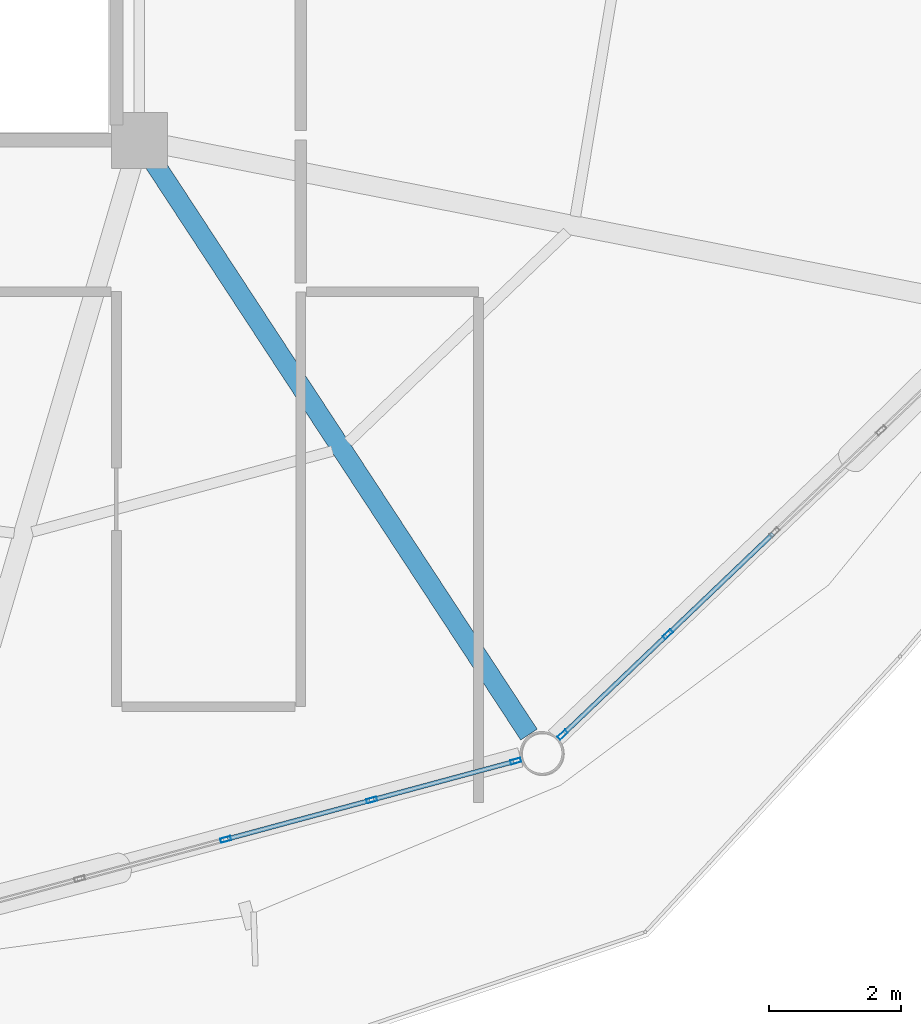
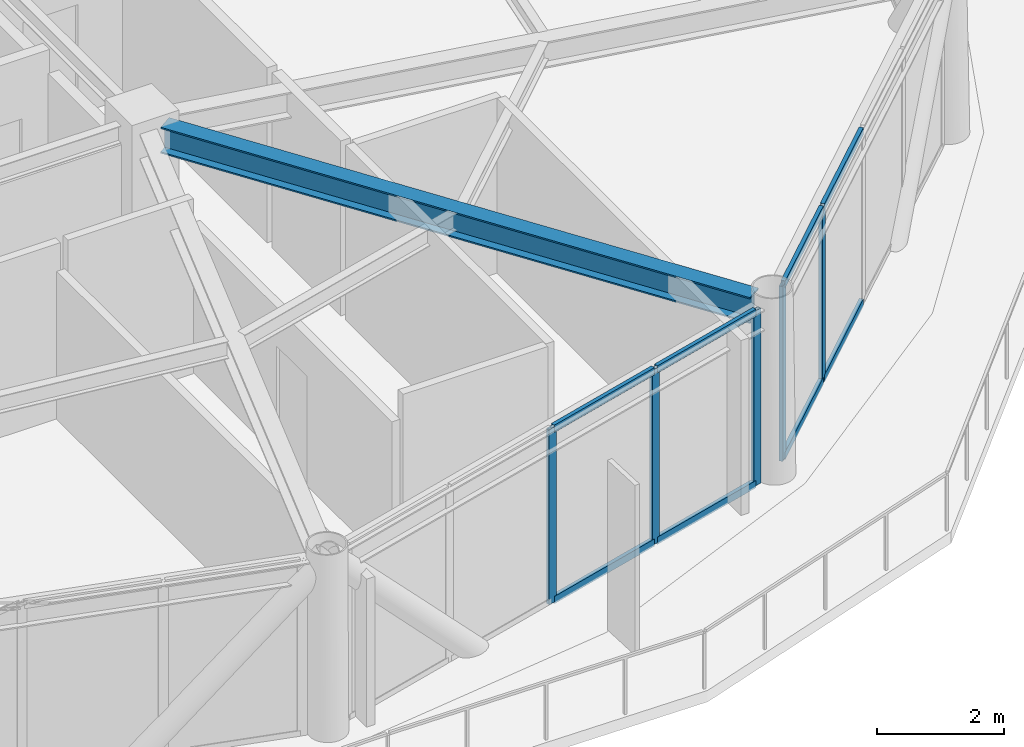
# One storey, part 9 of 28: 13 members, 1 beam, 2 elements without a shape of their own.
"""IFC4 building model written with IfcOpenShell, lengths in metres."""

from ifc_helpers import new_model, si_unit, direction, frame, origin, origin_2d, place, context, subcontext, project, spatial, hollow_rectangle, i_section, extrude, material, layer, layer_set, material_profile, profile_set, type_object, element, aggregate, save


model = new_model("IFC4")

# Units and contexts
model_context = context("Model", 3, precision=1e-05, world=origin(), true_north=direction((0.0, 1.0)))
body_context = subcontext(model_context, "Body", "Model", "MODEL_VIEW")
ifc_project = project(units=[si_unit("LENGTHUNIT", "METRE"), si_unit("AREAUNIT", "SQUARE_METRE"), si_unit("VOLUMEUNIT", "CUBIC_METRE"), si_unit("PLANEANGLEUNIT", "RADIAN"), si_unit("MASSUNIT", "GRAM", prefix="KILO")], contexts=[model_context])

# Site, building, storey
site_placement = place(None, origin())
site = spatial("IfcSite", under=ifc_project, at=site_placement, CompositionType="ELEMENT")
building_placement = place(site_placement, origin())
building = spatial("IfcBuilding", under=site, at=building_placement, Name="Varnakorn Sky Granary", CompositionType="ELEMENT")
storey_placement = place(building_placement, frame((0.0, 0.0, 200.39990234375)))
storey = spatial("IfcBuildingStorey", under=building, at=storey_placement, Name="L50", CompositionType="ELEMENT", Elevation=200.39990234375)

# Beam
ifc_material_1 = material(Name="Steel S355JR", Category="steel")
ifc_material_profile_1 = material_profile(ifc_material_1, i_section(OverallWidth=0.300048828125, OverallDepth=0.5, WebThickness=0.014404296875, FlangeThickness=0.028076171875, at=origin_2d()), Name="HE 500 B")
ifc_profile_set_1 = profile_set([ifc_material_profile_1], Name="Steel S355JR")
beam_type = type_object("IfcBeamType", Name="BM-RAD-Z4", PredefinedType="BEAM", material=ifc_profile_set_1)
beam_placement = place(storey_placement, frame((8.572021484375, -6.938720703125, 3.110107421875), z_axis=(0.548182818679, -0.836358533946, 0.0), x_axis=(0.836358533946, 0.548182818679, 0.0)))
element("IfcBeam", 1, at=beam_placement, inside=storey, type_object=beam_type, Name="Radial Floor Girder RG11 L50", PredefinedType="BEAM", context=body_context, shape_type="SweptSolid", body=[
    extrude(i_section(OverallWidth=0.300048828125, OverallDepth=0.5, WebThickness=0.014404296875, FlangeThickness=0.028076171875, at=origin_2d()), origin(), (0.0, 0.0, 1.0), 10.38330078125),
])

# Curtain wall, members
ifc_material_2 = material(Name="Anodised Bronze Aluminium Alloy 6063-T6", Category="aluminium")
ifc_layer = layer(ifc_material_2, 0.169921875, Name="Anodised Bronze Aluminium Alloy 6063-T6")
ifc_layer_set = layer_set([ifc_layer], Name="Anodised Bronze Aluminium Alloy 6063-T6")
curtain_wall_type = type_object("IfcCurtainWallType", Name="CW-LAB-1", PredefinedType="USERDEFINED", material=ifc_layer_set)
curtain_wall_1_placement = place(storey_placement, origin())
curtain_wall_1 = element("IfcCurtainWall", 2, at=curtain_wall_1_placement, inside=storey, type_object=curtain_wall_type, Name="Unitised Curtain Wall CW5 CW-L50-B10", ObjectType="CURTAIN WALL", PredefinedType="USERDEFINED")
ifc_material_profile_2 = material_profile(ifc_material_2, hollow_rectangle(XDim=0.06494140625, YDim=0.159912109375, WallThickness=0.00341796875, at=origin_2d()), Name="ALU MULL 65x160")
ifc_profile_set_2 = profile_set([ifc_material_profile_2], Name="Anodised Bronze Aluminium Alloy 6063-T6")
member_type_1 = type_object("IfcMemberType", Name="CW-LAB-1-MULL", PredefinedType="MULLION", material=ifc_profile_set_2)
member_1_placement = place(storey_placement, frame((14.062744140625, -16.02587890625, 0.0), z_axis=(0.0, 0.0, 1.0), x_axis=(0.260643020154, -0.965435246946, 0.0)))
member_1 = element("IfcMember", 3, at=member_1_placement, type_object=member_type_1, Name="CW5 mullion 1", PredefinedType="MULLION", context=body_context, shape_type="SweptSolid", body=[
    extrude(hollow_rectangle(XDim=0.06494140625, YDim=0.159912109375, WallThickness=0.00341796875, at=origin_2d()), origin(), (0.0, 0.0, 1.0), 3.360107421875),
])
member_2_placement = place(storey_placement, frame((11.877197265625, -16.615966796875, 0.0), z_axis=(0.0, 0.0, 1.0), x_axis=(0.260643020154, -0.965435246946, 0.0)))
member_2 = element("IfcMember", 4, at=member_2_placement, type_object=member_type_1, Name="CW5 mullion 2", PredefinedType="MULLION", context=body_context, shape_type="SweptSolid", body=[
    extrude(hollow_rectangle(XDim=0.06494140625, YDim=0.159912109375, WallThickness=0.00341796875, at=origin_2d()), origin(), (0.0, 0.0, 1.0), 3.360107421875),
])
member_3_placement = place(storey_placement, frame((9.66015625, -17.21435546875, 0.0), z_axis=(0.0, 0.0, 1.0), x_axis=(0.260643020154, -0.965435246946, 0.0)))
member_3 = element("IfcMember", 5, at=member_3_placement, type_object=member_type_1, Name="CW5 mullion 3", PredefinedType="MULLION", context=body_context, shape_type="SweptSolid", body=[
    extrude(hollow_rectangle(XDim=0.06494140625, YDim=0.159912109375, WallThickness=0.00341796875, at=origin_2d()), origin(), (0.0, 0.0, 1.0), 3.360107421875),
])

curtain_wall_2_placement = place(storey_placement, origin())
curtain_wall_2 = element("IfcCurtainWall", 6, at=curtain_wall_2_placement, inside=storey, type_object=curtain_wall_type, Name="Unitised Curtain Wall CW5 CW-L50-B11", ObjectType="CURTAIN WALL", PredefinedType="USERDEFINED")
member_4_placement = place(storey_placement, frame((16.3720703125, -14.099365234375, 0.0), z_axis=(0.0, 0.0, 1.0), x_axis=(0.690696852284, -0.723144424195, 0.0)))
member_4 = element("IfcMember", 7, at=member_4_placement, type_object=member_type_1, Name="CW5 mullion 4", PredefinedType="MULLION", context=body_context, shape_type="SweptSolid", body=[
    extrude(hollow_rectangle(XDim=0.06494140625, YDim=0.159912109375, WallThickness=0.00341796875, at=origin_2d()), origin(), (0.0, 0.0, 1.0), 3.360107421875),
])
member_5_placement = place(storey_placement, frame((14.776123046875, -15.6240234375, 0.0), z_axis=(0.0, 0.0, 1.0), x_axis=(0.690696852284, -0.723144424195, 0.0)))
member_5 = element("IfcMember", 8, at=member_5_placement, type_object=member_type_1, Name="CW5 mullion 5", PredefinedType="MULLION", context=body_context, shape_type="SweptSolid", body=[
    extrude(hollow_rectangle(XDim=0.06494140625, YDim=0.159912109375, WallThickness=0.00341796875, at=origin_2d()), origin(), (0.0, 0.0, 1.0), 3.360107421875),
])

# Member
ifc_material_profile_3 = material_profile(ifc_material_2, hollow_rectangle(XDim=0.070068359375, YDim=0.139892578125, WallThickness=0.00341796875, at=origin_2d()), Name="ALU TRAN 70x140")
ifc_profile_set_3 = profile_set([ifc_material_profile_3], Name="Anodised Bronze Aluminium Alloy 6063-T6")
member_type_2 = type_object("IfcMemberType", Name="CW-LAB-1-TRAN", PredefinedType="USERDEFINED", material=ifc_profile_set_3)
member_6_placement = place(storey_placement, frame((14.03125, -16.034423828125, 0.03515625), z_axis=(-0.965447242765, -0.260598582952, 0.0), x_axis=(0.260598582952, -0.965447242765, 0.0)))
member_6 = element("IfcMember", 9, at=member_6_placement, type_object=member_type_2, Name="CW5 transom 1.1", ObjectType="TRANSOM", PredefinedType="USERDEFINED", context=body_context, shape_type="SweptSolid", body=[
    extrude(hollow_rectangle(XDim=0.070068359375, YDim=0.139892578125, WallThickness=0.00341796875, at=origin_2d()), origin(), (0.0, 0.0, 1.0), 2.19873046875),
])

member_7_placement = place(storey_placement, frame((14.03125, -16.034423828125, 3.3251953125), z_axis=(-0.965447242765, -0.260598582952, 0.0), x_axis=(0.260598582952, -0.965447242765, 0.0)))
member_7 = element("IfcMember", 10, at=member_7_placement, type_object=member_type_2, Name="CW5 transom 1.2", ObjectType="TRANSOM", PredefinedType="USERDEFINED", context=body_context, shape_type="SweptSolid", body=[
    extrude(hollow_rectangle(XDim=0.070068359375, YDim=0.139892578125, WallThickness=0.00341796875, at=origin_2d()), origin(), (0.0, 0.0, 1.0), 2.19873046875),
])

member_8_placement = place(storey_placement, frame((11.845703125, -16.624267578125, 0.03515625), z_axis=(-0.965434865019, -0.260644434827, 0.0), x_axis=(0.260644434827, -0.965434865019, 0.0)))
member_8 = element("IfcMember", 11, at=member_8_placement, type_object=member_type_2, Name="CW5 transom 2.1", ObjectType="TRANSOM", PredefinedType="USERDEFINED", context=body_context, shape_type="SweptSolid", body=[
    extrude(hollow_rectangle(XDim=0.070068359375, YDim=0.139892578125, WallThickness=0.00341796875, at=origin_2d()), origin(), (0.0, 0.0, 1.0), 2.231201171875),
])

member_9_placement = place(storey_placement, frame((11.845703125, -16.624267578125, 3.3251953125), z_axis=(-0.965434865019, -0.260644434827, 0.0), x_axis=(0.260644434827, -0.965434865019, 0.0)))
member_9 = element("IfcMember", 12, at=member_9_placement, type_object=member_type_2, Name="CW5 transom 2.2", ObjectType="TRANSOM", PredefinedType="USERDEFINED", context=body_context, shape_type="SweptSolid", body=[
    extrude(hollow_rectangle(XDim=0.070068359375, YDim=0.139892578125, WallThickness=0.00341796875, at=origin_2d()), origin(), (0.0, 0.0, 1.0), 2.231201171875),
])

aggregate(curtain_wall_1, [member_1, member_2, member_3, member_6, member_7, member_8, member_9])

member_10_placement = place(storey_placement, frame((17.96826171875, -12.574951171875, 0.03515625), z_axis=(-0.72314395333, -0.69069734527, 0.0), x_axis=(0.69069734527, -0.72314395333, 0.0)))
member_10 = element("IfcMember", 13, at=member_10_placement, type_object=member_type_2, Name="CW5 transom 3.1", ObjectType="TRANSOM", PredefinedType="USERDEFINED", context=body_context, shape_type="SweptSolid", body=[
    extrude(hollow_rectangle(XDim=0.070068359375, YDim=0.139892578125, WallThickness=0.00341796875, at=origin_2d()), origin(), (0.0, 0.0, 1.0), 2.174560546875),
])

member_11_placement = place(storey_placement, frame((17.96826171875, -12.574951171875, 3.3251953125), z_axis=(-0.72314395333, -0.69069734527, 0.0), x_axis=(0.69069734527, -0.72314395333, 0.0)))
member_11 = element("IfcMember", 14, at=member_11_placement, type_object=member_type_2, Name="CW5 transom 3.2", ObjectType="TRANSOM", PredefinedType="USERDEFINED", context=body_context, shape_type="SweptSolid", body=[
    extrude(hollow_rectangle(XDim=0.070068359375, YDim=0.139892578125, WallThickness=0.00341796875, at=origin_2d()), origin(), (0.0, 0.0, 1.0), 2.174560546875),
])

member_12_placement = place(storey_placement, frame((16.3486328125, -14.121826171875, 0.03515625), z_axis=(-0.72310452813, -0.690738620173, 0.0), x_axis=(0.690738620173, -0.72310452813, 0.0)))
member_12 = element("IfcMember", 15, at=member_12_placement, type_object=member_type_2, Name="CW5 transom 4.1", ObjectType="TRANSOM", PredefinedType="USERDEFINED", context=body_context, shape_type="SweptSolid", body=[
    extrude(hollow_rectangle(XDim=0.070068359375, YDim=0.139892578125, WallThickness=0.00341796875, at=origin_2d()), origin(), (0.0, 0.0, 1.0), 2.142333984375),
])

member_13_placement = place(storey_placement, frame((16.3486328125, -14.121826171875, 3.3251953125), z_axis=(-0.72310452813, -0.690738620173, 0.0), x_axis=(0.690738620173, -0.72310452813, 0.0)))
member_13 = element("IfcMember", 16, at=member_13_placement, type_object=member_type_2, Name="CW5 transom 4.2", ObjectType="TRANSOM", PredefinedType="USERDEFINED", context=body_context, shape_type="SweptSolid", body=[
    extrude(hollow_rectangle(XDim=0.070068359375, YDim=0.139892578125, WallThickness=0.00341796875, at=origin_2d()), origin(), (0.0, 0.0, 1.0), 2.142333984375),
])

aggregate(curtain_wall_2, [member_4, member_5, member_10, member_11, member_12, member_13])

save(model, "model.ifc")
